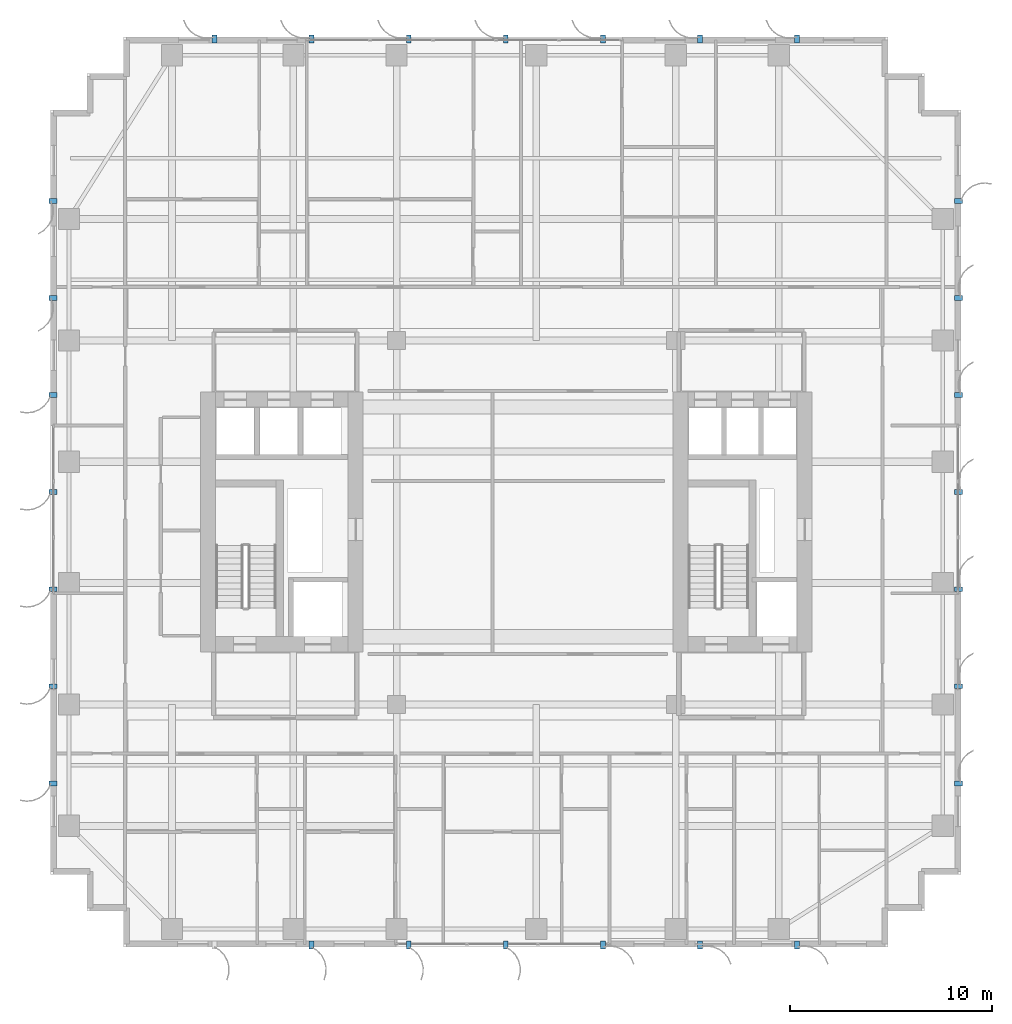
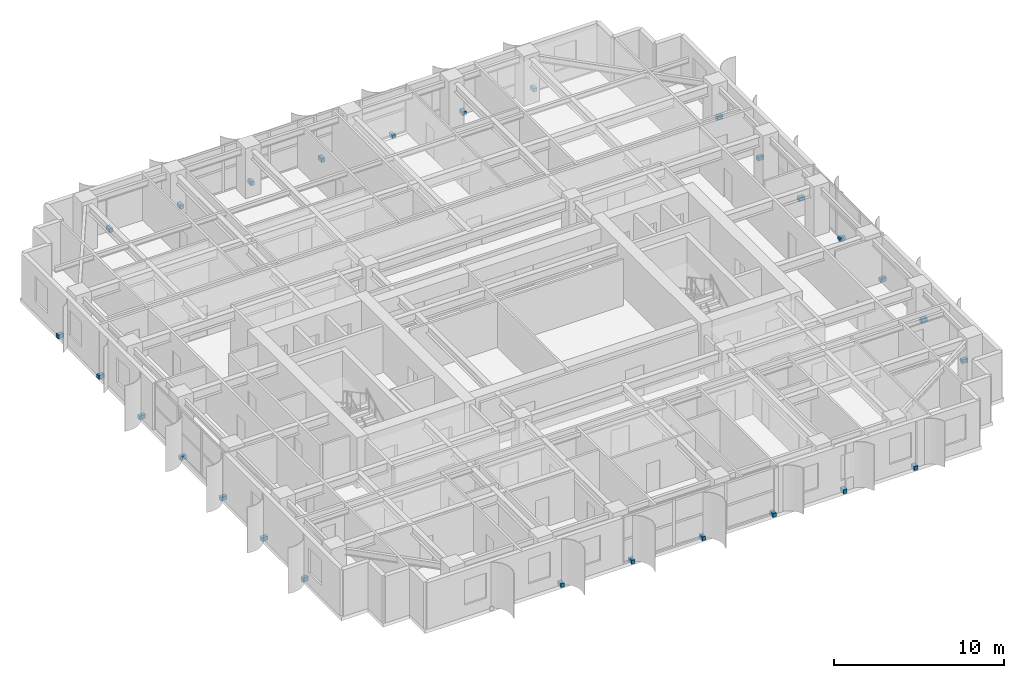
# One storey, part 18 of 22: 27 discrete accessories.
"""IFC4 building model written with IfcOpenShell, lengths in metres."""

from ifc_helpers import new_model, si_unit, direction, frame, origin, origin_2d, place, context, subcontext, project, spatial, rectangle, extrude, source, transform, mapped, material, type_object, element, save


model = new_model("IFC4")

# Units and contexts
model_context = context("Model", 3, precision=1e-05, world=origin(), true_north=direction((0.0, 1.0)))
body_context = subcontext(model_context, "Body", "Model", "MODEL_VIEW")
ifc_project = project(units=[si_unit("LENGTHUNIT", "METRE"), si_unit("AREAUNIT", "SQUARE_METRE"), si_unit("VOLUMEUNIT", "CUBIC_METRE"), si_unit("PLANEANGLEUNIT", "RADIAN"), si_unit("MASSUNIT", "GRAM", prefix="KILO")], contexts=[model_context])

# Site, building, storey
site_placement = place(None, origin())
site = spatial("IfcSite", under=ifc_project, at=site_placement, CompositionType="ELEMENT")
building_placement = place(site_placement, origin())
building = spatial("IfcBuilding", under=site, at=building_placement, Name="Khoralis Quay Care Tower", CompositionType="ELEMENT")
storey_placement = place(building_placement, frame((0.0, 0.0, 94.5)))
storey = spatial("IfcBuildingStorey", under=building, at=storey_placement, Name="L24", CompositionType="ELEMENT", Elevation=94.5)

# Discrete accessories
ifc_material = material(Name="Brushed stainless steel", Category="steel")
discrete_accessory_type = type_object("IfcDiscreteAccessoryType", Name="ACC-FIN-BRACKET", PredefinedType="BRACKET", material=ifc_material)
shared_shape = source(origin(), body_context, "Body", "SweptSolid", [
    extrude(rectangle(XDim=0.39990234375, YDim=0.239990234375, at=origin_2d()), origin(), (0.0, 0.0, 1.0), 0.280029296875),
])
for number, where, z_axis, x_axis, name in (
    (1, (12.89990234375, 0.110107421875, -0.1201171875), (0.0, 0.0, 1.0), (0.0, -1.0, 0.0), "L24 Solar Fin Bracket P1E0-02"),
    (2, (17.699951171875, 0.110107421875, -0.1201171875), (0.0, 0.0, 1.0), (0.0, -1.0, 0.0), "L24 Solar Fin Bracket P1E0-03"),
    (3, (22.5, 0.110107421875, -0.1201171875), (0.0, 0.0, 1.0), (0.0, -1.0, 0.0), "L24 Solar Fin Bracket P1E0-04"),
    (4, (27.300048828125, 0.110107421875, -0.1201171875), (0.0, 0.0, 1.0), (0.0, -1.0, 0.0), "L24 Solar Fin Bracket P1E0-05"),
    (5, (32.10009765625, 0.110107421875, -0.1201171875), (0.0, 0.0, 1.0), (0.0, -1.0, 0.0), "L24 Solar Fin Bracket P1E0-06"),
    (6, (36.89990234375, 0.110107421875, -0.1201171875), (0.0, 0.0, 1.0), (0.0, -1.0, 0.0), "L24 Solar Fin Bracket P1E0-07"),
    (7, (44.889892578125, 8.10009765625, -0.1201171875), (0.0, 0.0, 1.0), (1.0, 0.0, 0.0), "L24 Solar Fin Bracket P1E5-01"),
    (8, (44.889892578125, 12.89990234375, -0.1201171875), (0.0, 0.0, 1.0), (1.0, 0.0, 0.0), "L24 Solar Fin Bracket P1E5-02"),
    (9, (44.889892578125, 17.699951171875, -0.1201171875), (0.0, 0.0, 1.0), (1.0, 0.0, 0.0), "L24 Solar Fin Bracket P1E5-03"),
    (10, (44.889892578125, 22.5, -0.1201171875), (0.0, 0.0, 1.0), (1.0, 0.0, 0.0), "L24 Solar Fin Bracket P1E5-04"),
    (11, (44.889892578125, 27.300048828125, -0.1201171875), (0.0, 0.0, 1.0), (1.0, 0.0, 0.0), "L24 Solar Fin Bracket P1E5-05"),
    (12, (44.889892578125, 32.10009765625, -0.1201171875), (0.0, 0.0, 1.0), (1.0, 0.0, 0.0), "L24 Solar Fin Bracket P1E5-06"),
    (13, (44.889892578125, 36.89990234375, -0.1201171875), (0.0, 0.0, 1.0), (1.0, 0.0, 0.0), "L24 Solar Fin Bracket P1E5-07"),
    (14, (36.89990234375, 44.889892578125, -0.1201171875), (0.0, 0.0, 1.0), (0.0, 1.0, 0.0), "L24 Solar Fin Bracket P1E10-01"),
    (15, (32.10009765625, 44.889892578125, -0.1201171875), (0.0, 0.0, 1.0), (0.0, 1.0, 0.0), "L24 Solar Fin Bracket P1E10-02"),
    (16, (27.300048828125, 44.889892578125, -0.1201171875), (0.0, 0.0, 1.0), (0.0, 1.0, 0.0), "L24 Solar Fin Bracket P1E10-03"),
    (17, (22.5, 44.889892578125, -0.1201171875), (0.0, 0.0, 1.0), (0.0, 1.0, 0.0), "L24 Solar Fin Bracket P1E10-04"),
    (18, (17.699951171875, 44.889892578125, -0.1201171875), (0.0, 0.0, 1.0), (0.0, 1.0, 0.0), "L24 Solar Fin Bracket P1E10-05"),
    (19, (12.89990234375, 44.889892578125, -0.1201171875), (0.0, 0.0, 1.0), (0.0, 1.0, 0.0), "L24 Solar Fin Bracket P1E10-06"),
    (20, (8.10009765625, 44.889892578125, -0.1201171875), (0.0, 0.0, 1.0), (0.0, 1.0, 0.0), "L24 Solar Fin Bracket P1E10-07"),
    (21, (0.110107421875, 36.89990234375, -0.1201171875), (0.0, 0.0, 1.0), (-1.0, 0.0, 0.0), "L24 Solar Fin Bracket P1E15-01"),
    (22, (0.110107421875, 32.10009765625, -0.1201171875), (0.0, 0.0, 1.0), (-1.0, 0.0, 0.0), "L24 Solar Fin Bracket P1E15-02"),
    (23, (0.110107421875, 27.300048828125, -0.1201171875), (0.0, 0.0, 1.0), (-1.0, 0.0, 0.0), "L24 Solar Fin Bracket P1E15-03"),
    (24, (0.110107421875, 22.5, -0.1201171875), (0.0, 0.0, 1.0), (-1.0, 0.0, 0.0), "L24 Solar Fin Bracket P1E15-04"),
    (25, (0.110107421875, 17.699951171875, -0.1201171875), (0.0, 0.0, 1.0), (-1.0, 0.0, 0.0), "L24 Solar Fin Bracket P1E15-05"),
    (26, (0.110107421875, 12.89990234375, -0.1201171875), (0.0, 0.0, 1.0), (-1.0, 0.0, 0.0), "L24 Solar Fin Bracket P1E15-06"),
    (27, (0.110107421875, 8.10009765625, -0.1201171875), (0.0, 0.0, 1.0), (-1.0, 0.0, 0.0), "L24 Solar Fin Bracket P1E15-07"),
):
    element("IfcDiscreteAccessory", number, at=place(storey_placement, frame(where, z_axis=z_axis, x_axis=x_axis)), inside=storey, type_object=discrete_accessory_type, Name=name, PredefinedType="BRACKET", context=body_context, shape_type="MappedRepresentation", body=[
        mapped(shared_shape, transform((0.0, 0.0, 0.0), scale=1.0)),
    ])

save(model, "model.ifc")
